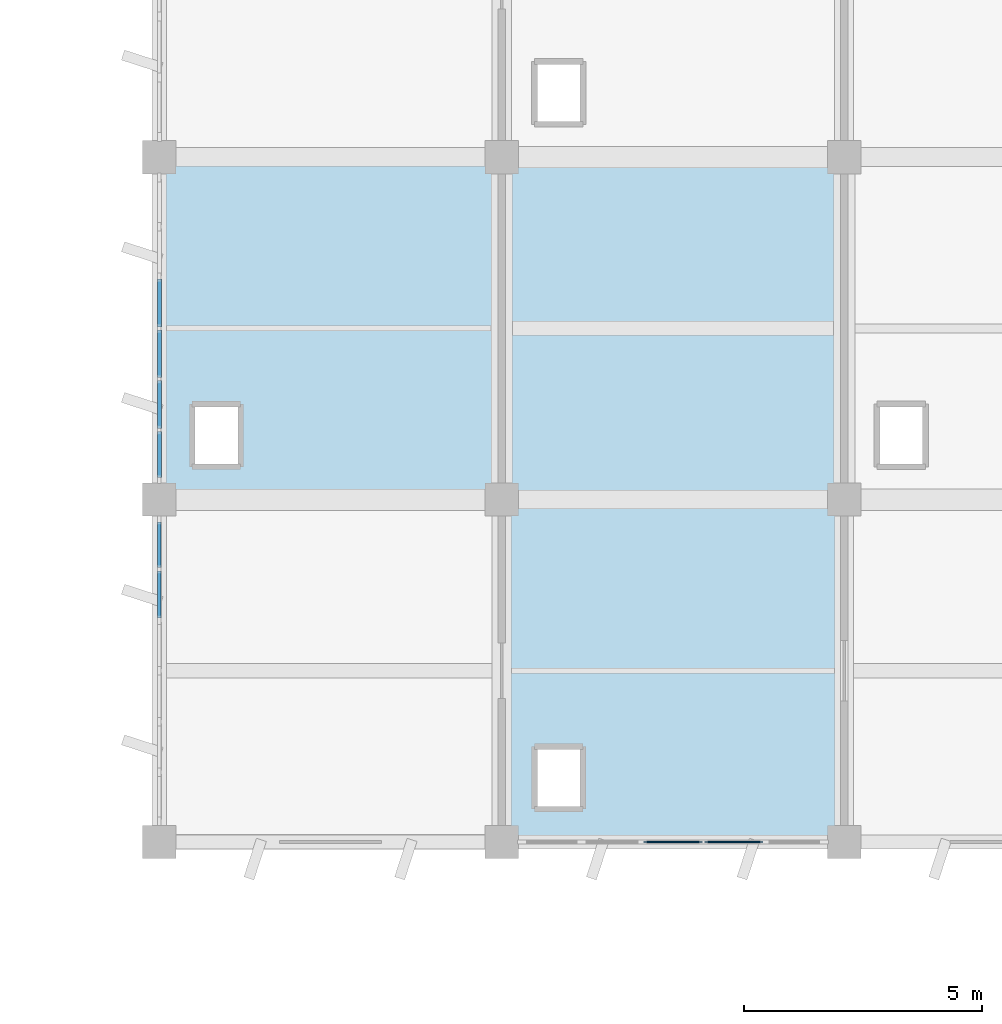
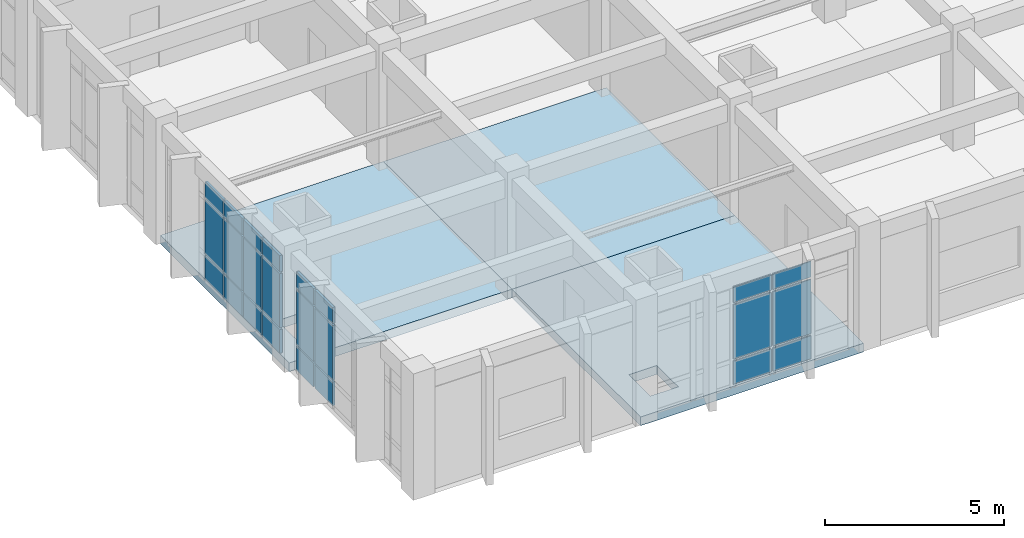
# One storey, part 37 of 70: 24 plates, 3 slabs, 3 elements without a shape of their own.
"""IFC4 building model written with IfcOpenShell, lengths in metres."""

import ifcopenshell
import ifcopenshell.guid

model = None  # the IFC model being written
_history = None  # IfcOwnerHistory: only IFC2X3 demands one
_inside = {}  # id of a spatial element -> (the spatial element, [elements in it])
_under = {}  # id of a project, library or spatial element -> (it, [spatial elements below it])
_declared = {}  # id of a project -> (the project, [libraries it declares])
_typed = {}  # id of a type object -> (the type object, [elements of that type])
_made_of = {}  # id of a material, layer set ... -> (it, [elements and type objects made of it])


def new_model(schema):
    """Start an empty IFC model of exactly this schema.

    Asked for "IFC4X3", IfcOpenShell would pick the latest addendum, in which some entities
    have other attributes; the version numbers below select the first issue.
    IFC2X3 requires an IfcOwnerHistory on every rooted entity: one is made here for all.
    """
    global model, _history
    if schema == "IFC4X3":
        model = ifcopenshell.file(schema_version=(4, 3, 0, 0))
    else:
        model = ifcopenshell.file(schema=schema)
    _inside.clear()
    _under.clear()
    _declared.clear()
    _typed.clear()
    _made_of.clear()
    _history = None
    if model.schema == "IFC2X3":
        org = make("IfcOrganization", Name="unknown")
        user = make(
            "IfcPersonAndOrganization",
            ThePerson=make("IfcPerson", FamilyName="unknown"),
            TheOrganization=org,
        )
        app = make(
            "IfcApplication",
            ApplicationDeveloper=org,
            Version="unknown",
            ApplicationFullName="unknown",
            ApplicationIdentifier="unknown",
        )
        _history = make(
            "IfcOwnerHistory",
            OwningUser=user,
            OwningApplication=app,
            ChangeAction="ADDED",
            CreationDate=0,
        )
    return model


def make(cls, **values):
    """One entity of the class cls with the attributes given. An attribute that is None is left unset."""
    return model.create_entity(
        cls, **{name: value for name, value in values.items() if value is not None}
    )


def rooted(cls, **values):
    """An entity with a GlobalId (a new one), such as an element, a storey or a relation."""
    return make(cls, GlobalId=ifcopenshell.guid.new(), OwnerHistory=_history, **values)


def si_unit(unit_type, name, prefix=None):
    """IfcSIUnit, for example si_unit("LENGTHUNIT", "METRE", prefix="MILLI")."""
    return make("IfcSIUnit", UnitType=unit_type, Prefix=prefix, Name=name)


def assignment(units):
    """IfcUnitAssignment: the units of a project."""
    return None if units is None else make("IfcUnitAssignment", Units=units)


def point(xyz):
    """IfcCartesianPoint."""
    return None if xyz is None else make("IfcCartesianPoint", Coordinates=xyz)


def direction(xyz):
    """IfcDirection."""
    return None if xyz is None else make("IfcDirection", DirectionRatios=xyz)


def frame(location, z_axis=None, x_axis=None):
    """IfcAxis2Placement3D, a coordinate frame: its origin and axes. An axis left out is left unset."""
    return make(
        "IfcAxis2Placement3D",
        Location=point(location),
        Axis=direction(z_axis),
        RefDirection=direction(x_axis),
    )


def frame_2d(location, x_axis=None):
    """IfcAxis2Placement2D, a coordinate frame in the plane: its origin and x axis."""
    return make(
        "IfcAxis2Placement2D", Location=point(location), RefDirection=direction(x_axis)
    )


def origin():
    """The frame at (0, 0, 0) with its axes left unset."""
    return frame((0.0, 0.0, 0.0))


def origin_2d():
    """The frame at (0, 0) in the plane with its x axis left unset."""
    return frame_2d((0.0, 0.0))


def place(relative_to, where):
    """IfcLocalPlacement: puts the frame where relative to a parent placement (None: the world)."""
    return make(
        "IfcLocalPlacement", PlacementRelTo=relative_to, RelativePlacement=where
    )


def context(
    kind, dimensions, precision=None, world=None, true_north=None, identifier=None
):
    """IfcGeometricRepresentationContext, for example the 3D "Model" context."""
    return make(
        "IfcGeometricRepresentationContext",
        ContextIdentifier=identifier,
        ContextType=kind,
        CoordinateSpaceDimension=dimensions,
        Precision=precision,
        WorldCoordinateSystem=world,
        TrueNorth=true_north,
    )


def subcontext(parent, identifier, kind, view, scale=None):
    """IfcGeometricRepresentationSubContext, for example "Body" below "Model"."""
    return make(
        "IfcGeometricRepresentationSubContext",
        ContextIdentifier=identifier,
        ContextType=kind,
        ParentContext=parent,
        TargetScale=scale,
        TargetView=view,
    )


def project(units=None, contexts=None):
    """IfcProject with its units and contexts."""
    return rooted(
        "IfcProject",
        Name="project",
        RepresentationContexts=contexts,
        UnitsInContext=assignment(units),
    )


def spatial(cls, under=None, at=None, **own):
    """A site, building, storey or space (cls), placed at a placement, below another one or the project."""
    s = rooted(cls, ObjectPlacement=at, **own)
    if under is not None:
        _under.setdefault(under.id(), (under, []))[1].append(s)
    return s


def polyline(points):
    """IfcPolyline through the points."""
    return make("IfcPolyline", Points=[point(p) for p in points])


def profile(cls, at=None, kind="AREA", **sizes):
    """A parametric profile (cls). Its sizes go by their IFC names, for example OverallWidth=200.0."""
    return make(cls, ProfileType=kind, Position=at, **sizes)


def rectangle(**sizes):
    """IfcRectangleProfileDef."""
    return profile("IfcRectangleProfileDef", **sizes)


def outline(outer, holes=None, kind="AREA"):
    """IfcArbitraryClosedProfileDef: a profile drawn as a closed curve; with holes, ...WithVoids."""
    if holes is None:
        return make("IfcArbitraryClosedProfileDef", ProfileType=kind, OuterCurve=outer)
    return make(
        "IfcArbitraryProfileDefWithVoids",
        ProfileType=kind,
        OuterCurve=outer,
        InnerCurves=holes,
    )


def extrude(swept, where, along, depth):
    """IfcExtrudedAreaSolid: the profile swept, set in the frame where, extruded along a direction by depth."""
    return make(
        "IfcExtrudedAreaSolid",
        SweptArea=swept,
        Position=where,
        ExtrudedDirection=direction(along),
        Depth=depth,
    )


def shape(context_of_items, identifier, shape_type, items):
    """IfcShapeRepresentation: the items that make up one representation, for example the "Body"."""
    return make(
        "IfcShapeRepresentation",
        ContextOfItems=context_of_items,
        RepresentationIdentifier=identifier,
        RepresentationType=shape_type,
        Items=items,
    )


def material(Name=None, Category=None):
    """IfcMaterial."""
    return make("IfcMaterial", Name=Name, Category=Category)


def layer(
    of_material, thickness, ventilated=None, Name=None, Category=None, Priority=None
):
    """IfcMaterialLayer: one layer of a wall or slab, of a material (None: an air gap)."""
    return make(
        "IfcMaterialLayer",
        Material=of_material,
        LayerThickness=thickness,
        IsVentilated=ventilated,
        Name=Name,
        Category=Category,
        Priority=Priority,
    )


def layer_set(layers, Name=None):
    """IfcMaterialLayerSet."""
    return make("IfcMaterialLayerSet", MaterialLayers=layers, LayerSetName=Name)


def made_of(thing, what):
    """Note that an element or type object is made of a material, layer set ...; save() writes the relation."""
    if what is not None:
        _made_of.setdefault(what.id(), (what, []))[1].append(thing)
    return thing


def type_object(cls, material=None, **own):
    """A type object (cls), such as IfcWallType, which elements share."""
    return made_of(rooted(cls, **own), material)


def element(
    cls,
    number,
    at=None,
    inside=None,
    cuts=None,
    type_object=None,
    material=None,
    context=None,
    identifier="Body",
    shape_type=None,
    held_by="IfcProductDefinitionShape",
    body=None,
    shapes=None,
    **own,
):
    """One element of the class cls, such as IfcWall. Its Tag is "e" and its number.

    at: its placement. inside: the storey or other place that contains it. cuts: it is an
    opening in that element (IfcRelVoidsElement). A single representation is given by context,
    identifier, shape_type and body (its items); several are given by shapes. held_by: the class
    of the entity that holds the representations. save() writes the other relations.
    """
    e = rooted(cls, Tag="e%d" % number, ObjectPlacement=at, **own)
    if body is not None:
        shapes = [shape(context, identifier, shape_type, body)]
    if shapes is not None:
        e.Representation = make(held_by, Representations=shapes)
    if inside is not None:
        _inside.setdefault(inside.id(), (inside, []))[1].append(e)
    if cuts is not None:
        rooted(
            "IfcRelVoidsElement", RelatingBuildingElement=cuts, RelatedOpeningElement=e
        )
    if type_object is not None:
        _typed.setdefault(type_object.id(), (type_object, []))[1].append(e)
    return made_of(e, material)


def aggregate(whole, parts):
    """IfcRelAggregates: a whole, such as a stair, and the parts it consists of."""
    return rooted("IfcRelAggregates", RelatingObject=whole, RelatedObjects=parts)


def save(model, path):
    """Write the relations noted so far, then the file.

    IfcRelAggregates (storeys below a building ...), IfcRelContainedInSpatialStructure (elements
    in a storey), IfcRelDefinesByType, IfcRelAssociatesMaterial and IfcRelDeclares: one each for
    every whole, place, type object, material and project.
    """
    for whole, parts in _under.values():
        aggregate(whole, parts)
    for where, things in _inside.values():
        rooted(
            "IfcRelContainedInSpatialStructure",
            RelatedElements=things,
            RelatingStructure=where,
        )
    for kind, things in _typed.values():
        rooted("IfcRelDefinesByType", RelatedObjects=things, RelatingType=kind)
    for what, things in _made_of.values():
        rooted("IfcRelAssociatesMaterial", RelatedObjects=things, RelatingMaterial=what)
    for by, libraries in _declared.values():
        rooted("IfcRelDeclares", RelatingContext=by, RelatedDefinitions=libraries)
    model.write(path)


model = new_model("IFC4")

# Units and contexts
model_context = context("Model", 3, precision=1e-05, world=origin(), true_north=direction((0.0, 1.0)))
body_context = subcontext(model_context, "Body", "Model", "MODEL_VIEW")
ifc_project = project(units=[si_unit("LENGTHUNIT", "METRE"), si_unit("AREAUNIT", "SQUARE_METRE"), si_unit("VOLUMEUNIT", "CUBIC_METRE"), si_unit("PLANEANGLEUNIT", "RADIAN"), si_unit("MASSUNIT", "GRAM", prefix="KILO")], contexts=[model_context])

# Site, building, storey
site_placement = place(None, origin())
site = spatial("IfcSite", under=ifc_project, at=site_placement, CompositionType="ELEMENT")
building_placement = place(site_placement, origin())
building = spatial("IfcBuilding", under=site, at=building_placement, Name="Kavelor Marine Aquarium", CompositionType="ELEMENT")
storey_placement = place(building_placement, frame((0.0, 0.0, 9.179931640625)))
storey = spatial("IfcBuildingStorey", under=building, at=storey_placement, Name="L02", CompositionType="ELEMENT", Elevation=9.179931640625)

# Curtain wall, plates
ifc_material_1 = material(Name="Thermally Broken Aluminium and Low-E Glass", Category="aluminium")
ifc_layer_1 = layer(ifc_material_1, 0.18798828125)
ifc_layer_set_1 = layer_set([ifc_layer_1], Name="CW-SYS6")
curtain_wall_type_1 = type_object("IfcCurtainWallType", Name="CW-SYS6", PredefinedType="USERDEFINED", material=ifc_layer_set_1)
curtain_wall_1_placement = place(storey_placement, origin())
curtain_wall_1 = element("IfcCurtainWall", 1, at=curtain_wall_1_placement, inside=storey, type_object=curtain_wall_type_1, Name="cw:x:L02:17_07", ObjectType="Curtain Wall", PredefinedType="USERDEFINED")
ifc_material_2 = material(Name="Solar-Control Double Low-E Glazing", Category="glass")
ifc_layer_2 = layer(ifc_material_2, 0.035888671875)
ifc_layer_set_2 = layer_set([ifc_layer_2], Name="CWP-06")
plate_type_1 = type_object("IfcPlateType", Name="CWP-06", PredefinedType="CURTAIN_PANEL", material=ifc_layer_set_2)
plate_1_placement = place(storey_placement, frame((130.48193359375, 53.199951171875, 0.074951171875), z_axis=(0.0, 0.0, 1.0), x_axis=(-1.0, 0.0, 0.0)))
plate_1 = element("IfcPlate", 2, at=plate_1_placement, type_object=plate_type_1, Name="CW06 panel 2.1", PredefinedType="CURTAIN_PANEL", context=body_context, shape_type="SweptSolid", body=[
    extrude(rectangle(XDim=1.221923828125, YDim=0.035888671875, at=origin_2d()), origin(), (0.0, 0.0, 1.0), 0.78759765625),
])
plate_2_placement = place(storey_placement, frame((130.48193359375, 53.199951171875, 0.9375), z_axis=(0.0, 0.0, 1.0), x_axis=(-1.0, 0.0, 0.0)))
plate_2 = element("IfcPlate", 3, at=plate_2_placement, type_object=plate_type_1, Name="CW06 panel 2.2", PredefinedType="CURTAIN_PANEL", context=body_context, shape_type="SweptSolid", body=[
    extrude(rectangle(XDim=1.221923828125, YDim=0.035888671875, at=origin_2d()), origin(), (0.0, 0.0, 1.0), 1.85498046875),
])
plate_3_placement = place(storey_placement, frame((130.48193359375, 53.199951171875, 2.867431640625), z_axis=(0.0, 0.0, 1.0), x_axis=(-1.0, 0.0, 0.0)))
plate_3 = element("IfcPlate", 4, at=plate_3_placement, type_object=plate_type_1, Name="CW06 panel 2.3", PredefinedType="CURTAIN_PANEL", context=body_context, shape_type="SweptSolid", body=[
    extrude(rectangle(XDim=1.221923828125, YDim=0.035888671875, at=origin_2d()), origin(), (0.0, 0.0, 1.0), 0.53759765625),
])
plate_4_placement = place(storey_placement, frame((129.199951171875, 53.199951171875, 0.074951171875), z_axis=(0.0, 0.0, 1.0), x_axis=(-1.0, 0.0, 0.0)))
plate_4 = element("IfcPlate", 5, at=plate_4_placement, type_object=plate_type_1, Name="CW06 panel 3.1", PredefinedType="CURTAIN_PANEL", context=body_context, shape_type="SweptSolid", body=[
    extrude(rectangle(XDim=1.221923828125, YDim=0.035888671875, at=origin_2d()), origin(), (0.0, 0.0, 1.0), 0.78759765625),
])
plate_5_placement = place(storey_placement, frame((129.199951171875, 53.199951171875, 0.9375), z_axis=(0.0, 0.0, 1.0), x_axis=(-1.0, 0.0, 0.0)))
plate_5 = element("IfcPlate", 6, at=plate_5_placement, type_object=plate_type_1, Name="CW06 panel 3.2", PredefinedType="CURTAIN_PANEL", context=body_context, shape_type="SweptSolid", body=[
    extrude(rectangle(XDim=1.221923828125, YDim=0.035888671875, at=origin_2d()), origin(), (0.0, 0.0, 1.0), 1.85498046875),
])
plate_6_placement = place(storey_placement, frame((129.199951171875, 53.199951171875, 2.867431640625), z_axis=(0.0, 0.0, 1.0), x_axis=(-1.0, 0.0, 0.0)))
plate_6 = element("IfcPlate", 7, at=plate_6_placement, type_object=plate_type_1, Name="CW06 panel 3.3", PredefinedType="CURTAIN_PANEL", context=body_context, shape_type="SweptSolid", body=[
    extrude(rectangle(XDim=1.221923828125, YDim=0.035888671875, at=origin_2d()), origin(), (0.0, 0.0, 1.0), 0.53759765625),
])
aggregate(curtain_wall_1, [plate_1, plate_2, plate_3, plate_4, plate_5, plate_6])

ifc_material_3 = material(Name="Thermally Broken Aluminium and Low-E Glass", Category="aluminium")
ifc_layer_3 = layer(ifc_material_3, 0.172119140625)
ifc_layer_set_3 = layer_set([ifc_layer_3], Name="CW-SYS4")
curtain_wall_type_2 = type_object("IfcCurtainWallType", Name="CW-SYS4", PredefinedType="USERDEFINED", material=ifc_layer_set_3)
curtain_wall_2_placement = place(storey_placement, origin())
curtain_wall_2 = element("IfcCurtainWall", 8, at=curtain_wall_2_placement, inside=storey, type_object=curtain_wall_type_2, Name="cw:y:L02:16_07", ObjectType="Curtain Wall", PredefinedType="USERDEFINED")
ifc_material_4 = material(Name="Solar-Control Double Low-E Glazing", Category="glass")
ifc_layer_4 = layer(ifc_material_4, 0.080078125)
ifc_layer_set_4 = layer_set([ifc_layer_4], Name="CWP-28")
plate_type_2 = type_object("IfcPlateType", Name="CWP-28", PredefinedType="CURTAIN_PANEL", material=ifc_layer_set_4)
plate_7_placement = place(storey_placement, frame((118.39990234375, 59.4521484375, 0.06005859375), z_axis=(0.0, 0.0, 1.0), x_axis=(0.0, -1.0, 0.0)))
plate_7 = element("IfcPlate", 9, at=plate_7_placement, type_object=plate_type_2, Name="CW04 panel 1.1", PredefinedType="CURTAIN_PANEL", context=body_context, shape_type="SweptSolid", body=[
    extrude(rectangle(XDim=0.955810546875, YDim=0.080078125, at=origin_2d()), origin(), (0.0, 0.0, 1.0), 0.81005859375),
])
plate_8_placement = place(storey_placement, frame((118.39990234375, 59.4521484375, 0.929931640625), z_axis=(0.0, 0.0, 1.0), x_axis=(0.0, -1.0, 0.0)))
plate_8 = element("IfcPlate", 10, at=plate_8_placement, type_object=plate_type_2, Name="CW04 panel 1.2", PredefinedType="CURTAIN_PANEL", context=body_context, shape_type="SweptSolid", body=[
    extrude(rectangle(XDim=0.955810546875, YDim=0.080078125, at=origin_2d()), origin(), (0.0, 0.0, 1.0), 1.8701171875),
])
plate_9_placement = place(storey_placement, frame((118.39990234375, 59.4521484375, 2.860107421875), z_axis=(0.0, 0.0, 1.0), x_axis=(0.0, -1.0, 0.0)))
plate_9 = element("IfcPlate", 11, at=plate_9_placement, type_object=plate_type_2, Name="CW04 panel 1.3", PredefinedType="CURTAIN_PANEL", context=body_context, shape_type="SweptSolid", body=[
    extrude(rectangle(XDim=0.955810546875, YDim=0.080078125, at=origin_2d()), origin(), (0.0, 0.0, 1.0), 0.56005859375),
])
plate_10_placement = place(storey_placement, frame((118.39990234375, 58.402587890625, 0.06005859375), z_axis=(0.0, 0.0, 1.0), x_axis=(0.0, -1.0, 0.0)))
plate_10 = element("IfcPlate", 12, at=plate_10_placement, type_object=plate_type_2, Name="CW04 panel 2.1", PredefinedType="CURTAIN_PANEL", context=body_context, shape_type="SweptSolid", body=[
    extrude(rectangle(XDim=0.993408203125, YDim=0.080078125, at=origin_2d()), origin(), (0.0, 0.0, 1.0), 0.81005859375),
])
plate_11_placement = place(storey_placement, frame((118.39990234375, 58.402587890625, 0.929931640625), z_axis=(0.0, 0.0, 1.0), x_axis=(0.0, -1.0, 0.0)))
plate_11 = element("IfcPlate", 13, at=plate_11_placement, type_object=plate_type_2, Name="CW04 panel 2.2", PredefinedType="CURTAIN_PANEL", context=body_context, shape_type="SweptSolid", body=[
    extrude(rectangle(XDim=0.993408203125, YDim=0.080078125, at=origin_2d()), origin(), (0.0, 0.0, 1.0), 1.8701171875),
])
plate_12_placement = place(storey_placement, frame((118.39990234375, 58.402587890625, 2.860107421875), z_axis=(0.0, 0.0, 1.0), x_axis=(0.0, -1.0, 0.0)))
plate_12 = element("IfcPlate", 14, at=plate_12_placement, type_object=plate_type_2, Name="CW04 panel 2.3", PredefinedType="CURTAIN_PANEL", context=body_context, shape_type="SweptSolid", body=[
    extrude(rectangle(XDim=0.993408203125, YDim=0.080078125, at=origin_2d()), origin(), (0.0, 0.0, 1.0), 0.56005859375),
])
aggregate(curtain_wall_2, [plate_7, plate_8, plate_9, plate_10, plate_11, plate_12])

ifc_material_5 = material(Name="Thermally Broken Aluminium and Low-E Glass", Category="aluminium")
ifc_layer_5 = layer(ifc_material_5, 0.179931640625)
ifc_layer_set_5 = layer_set([ifc_layer_5], Name="CW-SYS5")
curtain_wall_type_3 = type_object("IfcCurtainWallType", Name="CW-SYS5", PredefinedType="USERDEFINED", material=ifc_layer_set_5)
curtain_wall_3_placement = place(storey_placement, origin())
curtain_wall_3 = element("IfcCurtainWall", 15, at=curtain_wall_3_placement, inside=storey, type_object=curtain_wall_type_3, Name="cw:y:L02:16_08", ObjectType="Curtain Wall", PredefinedType="USERDEFINED")
ifc_material_6 = material(Name="Solar-Control Double Low-E Glazing", Category="glass")
ifc_layer_6 = layer(ifc_material_6, 0.08203125)
ifc_layer_set_6 = layer_set([ifc_layer_6], Name="CWP-29")
plate_type_3 = type_object("IfcPlateType", Name="CWP-29", PredefinedType="CURTAIN_PANEL", material=ifc_layer_set_6)
plate_13_placement = place(storey_placement, frame((118.39990234375, 64.5341796875, 0.06005859375), z_axis=(0.0, 0.0, 1.0), x_axis=(0.0, -1.0, 0.0)))
plate_13 = element("IfcPlate", 16, at=plate_13_placement, type_object=plate_type_3, Name="CW05 panel 3.1", PredefinedType="CURTAIN_PANEL", context=body_context, shape_type="SweptSolid", body=[
    extrude(rectangle(XDim=1.00341796875, YDim=0.08203125, at=origin_2d()), origin(), (0.0, 0.0, 1.0), 0.81005859375),
])
plate_14_placement = place(storey_placement, frame((118.39990234375, 64.5341796875, 0.929931640625), z_axis=(0.0, 0.0, 1.0), x_axis=(0.0, -1.0, 0.0)))
plate_14 = element("IfcPlate", 17, at=plate_14_placement, type_object=plate_type_3, Name="CW05 panel 3.2", PredefinedType="CURTAIN_PANEL", context=body_context, shape_type="SweptSolid", body=[
    extrude(rectangle(XDim=1.00341796875, YDim=0.08203125, at=origin_2d()), origin(), (0.0, 0.0, 1.0), 1.85009765625),
])
plate_15_placement = place(storey_placement, frame((118.39990234375, 64.5341796875, 2.840087890625), z_axis=(0.0, 0.0, 1.0), x_axis=(0.0, -1.0, 0.0)))
plate_15 = element("IfcPlate", 18, at=plate_15_placement, type_object=plate_type_3, Name="CW05 panel 3.3", PredefinedType="CURTAIN_PANEL", context=body_context, shape_type="SweptSolid", body=[
    extrude(rectangle(XDim=1.00341796875, YDim=0.08203125, at=origin_2d()), origin(), (0.0, 0.0, 1.0), 0.56005859375),
])
plate_16_placement = place(storey_placement, frame((118.39990234375, 63.4658203125, 0.06005859375), z_axis=(0.0, 0.0, 1.0), x_axis=(0.0, -1.0, 0.0)))
plate_16 = element("IfcPlate", 19, at=plate_16_placement, type_object=plate_type_3, Name="CW05 panel 4.1", PredefinedType="CURTAIN_PANEL", context=body_context, shape_type="SweptSolid", body=[
    extrude(rectangle(XDim=1.00341796875, YDim=0.08203125, at=origin_2d()), origin(), (0.0, 0.0, 1.0), 0.81005859375),
])
plate_17_placement = place(storey_placement, frame((118.39990234375, 63.4658203125, 0.929931640625), z_axis=(0.0, 0.0, 1.0), x_axis=(0.0, -1.0, 0.0)))
plate_17 = element("IfcPlate", 20, at=plate_17_placement, type_object=plate_type_3, Name="CW05 panel 4.2", PredefinedType="CURTAIN_PANEL", context=body_context, shape_type="SweptSolid", body=[
    extrude(rectangle(XDim=1.00341796875, YDim=0.08203125, at=origin_2d()), origin(), (0.0, 0.0, 1.0), 1.85009765625),
])
plate_18_placement = place(storey_placement, frame((118.39990234375, 63.4658203125, 2.840087890625), z_axis=(0.0, 0.0, 1.0), x_axis=(0.0, -1.0, 0.0)))
plate_18 = element("IfcPlate", 21, at=plate_18_placement, type_object=plate_type_3, Name="CW05 panel 4.3", PredefinedType="CURTAIN_PANEL", context=body_context, shape_type="SweptSolid", body=[
    extrude(rectangle(XDim=1.00341796875, YDim=0.08203125, at=origin_2d()), origin(), (0.0, 0.0, 1.0), 0.56005859375),
])
plate_19_placement = place(storey_placement, frame((118.39990234375, 62.3974609375, 0.06005859375), z_axis=(0.0, 0.0, 1.0), x_axis=(0.0, -1.0, 0.0)))
plate_19 = element("IfcPlate", 22, at=plate_19_placement, type_object=plate_type_3, Name="CW05 panel 5.1", PredefinedType="CURTAIN_PANEL", context=body_context, shape_type="SweptSolid", body=[
    extrude(rectangle(XDim=1.00341796875, YDim=0.08203125, at=origin_2d()), origin(), (0.0, 0.0, 1.0), 0.81005859375),
])
plate_20_placement = place(storey_placement, frame((118.39990234375, 62.3974609375, 0.929931640625), z_axis=(0.0, 0.0, 1.0), x_axis=(0.0, -1.0, 0.0)))
plate_20 = element("IfcPlate", 23, at=plate_20_placement, type_object=plate_type_3, Name="CW05 panel 5.2", PredefinedType="CURTAIN_PANEL", context=body_context, shape_type="SweptSolid", body=[
    extrude(rectangle(XDim=1.00341796875, YDim=0.08203125, at=origin_2d()), origin(), (0.0, 0.0, 1.0), 1.85009765625),
])
plate_21_placement = place(storey_placement, frame((118.39990234375, 62.3974609375, 2.840087890625), z_axis=(0.0, 0.0, 1.0), x_axis=(0.0, -1.0, 0.0)))
plate_21 = element("IfcPlate", 24, at=plate_21_placement, type_object=plate_type_3, Name="CW05 panel 5.3", PredefinedType="CURTAIN_PANEL", context=body_context, shape_type="SweptSolid", body=[
    extrude(rectangle(XDim=1.00341796875, YDim=0.08203125, at=origin_2d()), origin(), (0.0, 0.0, 1.0), 0.56005859375),
])
plate_22_placement = place(storey_placement, frame((118.39990234375, 61.345458984375, 0.06005859375), z_axis=(0.0, 0.0, 1.0), x_axis=(0.0, -1.0, 0.0)))
plate_22 = element("IfcPlate", 25, at=plate_22_placement, type_object=plate_type_3, Name="CW05 panel 6.1", PredefinedType="CURTAIN_PANEL", context=body_context, shape_type="SweptSolid", body=[
    extrude(rectangle(XDim=0.970947265625, YDim=0.08203125, at=origin_2d()), origin(), (0.0, 0.0, 1.0), 0.81005859375),
])
plate_23_placement = place(storey_placement, frame((118.39990234375, 61.345458984375, 0.929931640625), z_axis=(0.0, 0.0, 1.0), x_axis=(0.0, -1.0, 0.0)))
plate_23 = element("IfcPlate", 26, at=plate_23_placement, type_object=plate_type_3, Name="CW05 panel 6.2", PredefinedType="CURTAIN_PANEL", context=body_context, shape_type="SweptSolid", body=[
    extrude(rectangle(XDim=0.970947265625, YDim=0.08203125, at=origin_2d()), origin(), (0.0, 0.0, 1.0), 1.85009765625),
])
plate_24_placement = place(storey_placement, frame((118.39990234375, 61.345458984375, 2.840087890625), z_axis=(0.0, 0.0, 1.0), x_axis=(0.0, -1.0, 0.0)))
plate_24 = element("IfcPlate", 27, at=plate_24_placement, type_object=plate_type_3, Name="CW05 panel 6.3", PredefinedType="CURTAIN_PANEL", context=body_context, shape_type="SweptSolid", body=[
    extrude(rectangle(XDim=0.970947265625, YDim=0.08203125, at=origin_2d()), origin(), (0.0, 0.0, 1.0), 0.56005859375),
])
aggregate(curtain_wall_3, [plate_13, plate_14, plate_15, plate_16, plate_17, plate_18, plate_19, plate_20, plate_21, plate_22, plate_23, plate_24])

# Slabs
ifc_material_7 = material(Name="Concrete C40/50", Category="concrete")
ifc_layer_7 = layer(ifc_material_7, 0.300048828125)
ifc_layer_set_7 = layer_set([ifc_layer_7], Name="SL-FL1")
slab_type_1 = type_object("IfcSlabType", Name="SL-FL1", PredefinedType="FLOOR", material=ifc_layer_set_7)
slab_1_placement = place(storey_placement, frame((0.0, 0.0, -0.300048828125)))
element("IfcSlab", 28, at=slab_1_placement, inside=storey, type_object=slab_type_1, Name="slab:L02:16_08", PredefinedType="FLOOR", context=body_context, shape_type="SweptSolid", body=[
    extrude(outline(polyline([(118.39990234375, 60.39990234375), (125.60009765625, 60.39990234375), (125.60009765625, 67.60009765625), (118.39990234375, 67.60009765625), (118.39990234375, 60.39990234375)]), holes=[polyline([(119.14990234375, 61.14990234375), (120.050048828125, 61.14990234375), (120.050048828125, 62.35009765625), (119.14990234375, 62.35009765625), (119.14990234375, 61.14990234375)])]), origin(), (0.0, 0.0, 1.0), 0.300048828125),
])
slab_2_placement = place(storey_placement, frame((0.0, 0.0, -0.300048828125)))
element("IfcSlab", 29, at=slab_2_placement, inside=storey, type_object=slab_type_1, Name="slab:L02:17_07", PredefinedType="FLOOR", context=body_context, shape_type="SweptSolid", body=[
    extrude(outline(polyline([(125.60009765625, 53.199951171875), (132.800048828125, 53.199951171875), (132.800048828125, 60.39990234375), (125.60009765625, 60.39990234375), (125.60009765625, 53.199951171875)]), holes=[polyline([(126.35009765625, 53.949951171875), (127.25, 53.949951171875), (127.25, 55.14990234375), (126.35009765625, 55.14990234375), (126.35009765625, 53.949951171875)])]), origin(), (0.0, 0.0, 1.0), 0.300048828125),
])
ifc_material_8 = material(Name="Concrete C40/50", Category="concrete")
ifc_layer_8 = layer(ifc_material_8, 0.280029296875)
ifc_layer_set_8 = layer_set([ifc_layer_8], Name="SL-FL2")
slab_type_2 = type_object("IfcSlabType", Name="SL-FL2", PredefinedType="FLOOR", material=ifc_layer_set_8)
slab_3_placement = place(storey_placement, frame((0.0, 0.0, -0.280029296875)))
element("IfcSlab", 30, at=slab_3_placement, inside=storey, type_object=slab_type_2, Name="slab:L02:17_08", PredefinedType="FLOOR", context=body_context, shape_type="SweptSolid", body=[
    extrude(outline(polyline([(125.60009765625, 60.39990234375), (132.800048828125, 60.39990234375), (132.800048828125, 67.60009765625), (125.60009765625, 67.60009765625), (125.60009765625, 60.39990234375)])), origin(), (0.0, 0.0, 1.0), 0.280029296875),
])

save(model, "model.ifc")
